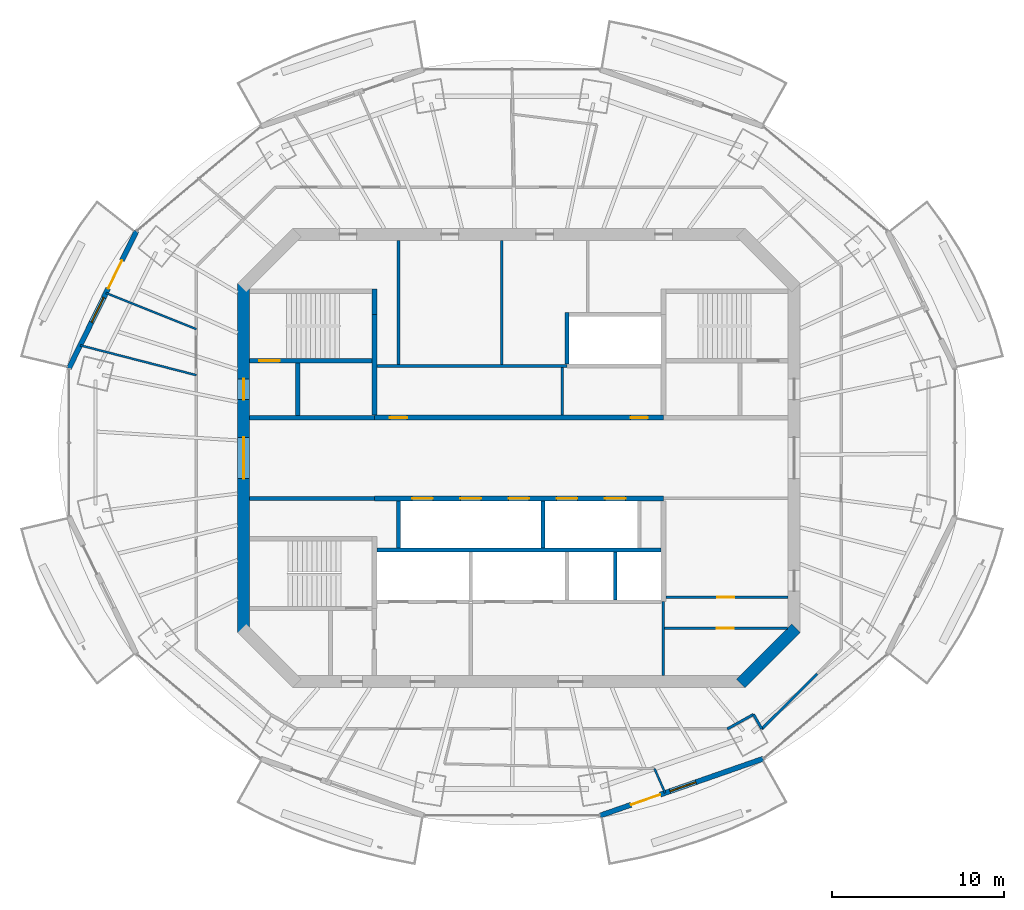
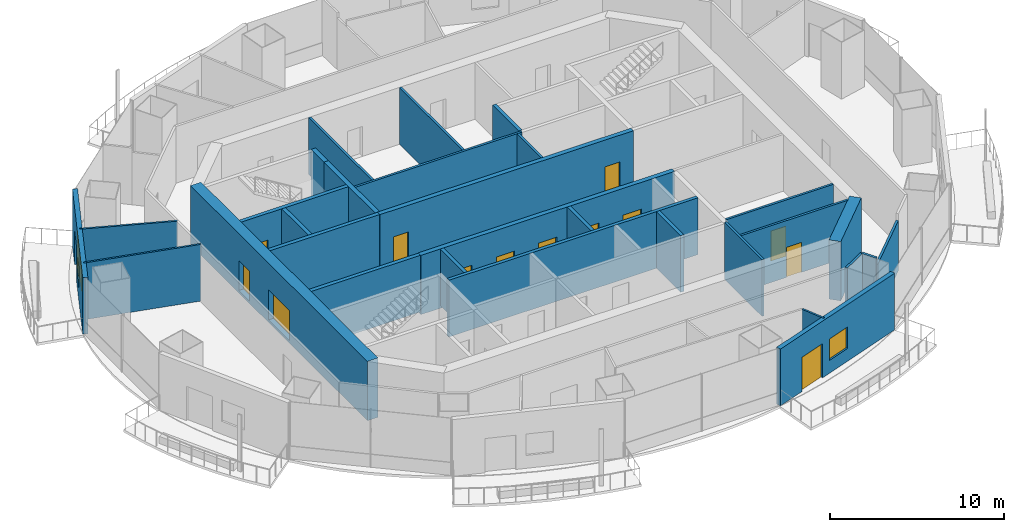
# One storey, part 9 of 16: 30 walls, 14 doors, 2 windows, 16 openings.
"""IFC4 building model written with IfcOpenShell, lengths in metres."""

from ifc_helpers import new_model, si_unit, direction, frame, frame_2d, origin, place, context, subcontext, project, spatial, rectangle, extrude, material, layer, layer_set, type_object, element, fill, save


model = new_model("IFC4")

# Units and contexts
model_context = context("Model", 3, precision=1e-05, world=origin(), true_north=direction((0.0, 1.0)))
body_context = subcontext(model_context, "Body", "Model", "MODEL_VIEW")
ifc_project = project(units=[si_unit("LENGTHUNIT", "METRE"), si_unit("AREAUNIT", "SQUARE_METRE"), si_unit("VOLUMEUNIT", "CUBIC_METRE"), si_unit("PLANEANGLEUNIT", "RADIAN"), si_unit("MASSUNIT", "GRAM", prefix="KILO")], contexts=[model_context])

# Site, building, storey
site_placement = place(None, origin())
site = spatial("IfcSite", under=ifc_project, at=site_placement, CompositionType="ELEMENT")
building_placement = place(site_placement, origin())
building = spatial("IfcBuilding", under=site, at=building_placement, Name="Marenthal Gate Tower", CompositionType="ELEMENT")
storey_placement = place(building_placement, frame((0.0, 0.0, 363.35009765625)))
storey = spatial("IfcBuildingStorey", under=building, at=storey_placement, Name="L82", CompositionType="ELEMENT", Elevation=363.35009765625)

# Wall
ifc_material_1 = material(Name="Concrete 60 MPa", Category="concrete")
ifc_layer_1 = layer(ifc_material_1, 0.699951171875)
ifc_layer_set_1 = layer_set([ifc_layer_1], Name="Core shear wall 700")
wall_type_1 = type_object("IfcWallType", Name="Core shear wall 700", PredefinedType="SHEAR", material=ifc_layer_set_1)
wall_1_placement = place(storey_placement, frame((12.8974609375, -13.1025390625, -0.18017578125), z_axis=(0.0, 0.0, 1.0), x_axis=(0.707106781187, 0.707106781187, 0.0)))
element("IfcWall", 1, at=wall_1_placement, inside=storey, type_object=wall_type_1, Name="Core wall 01", PredefinedType="SHEAR", context=body_context, shape_type="SweptSolid", body=[
    extrude(rectangle(XDim=4.53271484375, YDim=0.699951171875, at=frame_2d((2.266357421875, 0.0))), origin(), (0.0, 0.0, 1.0), 4.150146484375),
])

# Wall, openings, doors
wall_2_placement = place(storey_placement, frame((-16.0, 10.14501953125, -0.18017578125), z_axis=(0.0, 0.0, 1.0), x_axis=(0.0, -1.0, 0.0)))
wall_2 = element("IfcWall", 2, at=wall_2_placement, inside=storey, type_object=wall_type_1, Name="Core wall 06", PredefinedType="SHEAR", context=body_context, shape_type="SweptSolid", body=[
    extrude(rectangle(XDim=20.2900390625, YDim=0.699951171875, at=frame_2d((10.14501953125, 0.0))), origin(), (0.0, 0.0, 1.0), 4.150146484375),
])
opening_1_placement = place(wall_2_placement, frame((8.945068359375, 0.0, 0.179931640625)))
opening_1 = element("IfcOpeningElement", 3, at=opening_1_placement, cuts=wall_2, Name="Opening D003.01", PredefinedType="OPENING", context=body_context, shape_type="SweptSolid", body=[
    extrude(rectangle(XDim=2.39990234375, YDim=2.10009765625, at=frame_2d((1.199951171875, 1.050048828125))), frame((0.0, 0.35986328125, 0.0), z_axis=(0.0, -1.0, 0.0), x_axis=(1.0, 0.0, 0.0)), (0.0, 0.0, 1.0), 0.719970703125),
])
opening_2_placement = place(wall_2_placement, frame((5.544921875, 0.0, 0.179931640625)))
opening_2 = element("IfcOpeningElement", 4, at=opening_2_placement, cuts=wall_2, Name="Opening D001.04", PredefinedType="OPENING", context=body_context, shape_type="SweptSolid", body=[
    extrude(rectangle(XDim=1.199951171875, YDim=2.10009765625, at=frame_2d((0.60009765625, 1.050048828125))), frame((0.0, 0.35986328125, 0.0), z_axis=(0.0, -1.0, 0.0), x_axis=(1.0, 0.0, 0.0)), (0.0, 0.0, 1.0), 0.719970703125),
])
ifc_material_2 = material(Name="Steel fire door", Category="steel")
door_type_1 = type_object("IfcDoorType", Name="Double fire door FD 45 2400 x 2100", OperationType="DOUBLE_DOOR_SINGLE_SWING", PredefinedType="DOOR", material=ifc_material_2)
door_1_placement = place(opening_1_placement, origin())
door_1 = element("IfcDoor", 5, at=door_1_placement, inside=storey, type_object=door_type_1, Name="Door D003.01", OperationType="DOUBLE_DOOR_SINGLE_SWING", OverallHeight=2.10009765625, OverallWidth=2.39990234375, PredefinedType="DOOR", context=body_context, shape_type="SweptSolid", body=[
    extrude(rectangle(XDim=2.39990234375, YDim=2.10009765625, at=frame_2d((1.199951171875, 1.050048828125))), frame((0.0, 0.02490234375, 0.0), z_axis=(0.0, -1.0, 0.0), x_axis=(1.0, 0.0, 0.0)), (0.0, 0.0, 1.0), 0.050048828125),
])
fill(opening_1, door_1)
ifc_material_3 = material(Name="Steel fire door", Category="steel")
door_type_2 = type_object("IfcDoorType", Name="Fire door FD 90 1200 x 2100", OperationType="NOTDEFINED", PredefinedType="DOOR", material=ifc_material_3)
door_2_placement = place(opening_2_placement, origin())
door_2 = element("IfcDoor", 6, at=door_2_placement, inside=storey, type_object=door_type_2, Name="Door D001.04", OperationType="SINGLE_SWING_RIGHT", OverallHeight=2.10009765625, OverallWidth=1.199951171875, PredefinedType="DOOR", context=body_context, shape_type="SweptSolid", body=[
    extrude(rectangle(XDim=1.199951171875, YDim=2.10009765625, at=frame_2d((0.60009765625, 1.050048828125))), frame((0.0, 0.02490234375, 0.0), z_axis=(0.0, -1.0, 0.0), x_axis=(1.0, 0.0, 0.0)), (0.0, 0.0, 1.0), 0.050048828125),
])
fill(opening_2, door_2)

ifc_material_4 = material(Name="Concrete 50 MPa", Category="concrete")
ifc_layer_2 = layer(ifc_material_4, 0.300048828125)
ifc_layer_set_2 = layer_set([ifc_layer_2], Name="Hoistway shear wall 300")
wall_type_2 = type_object("IfcWallType", Name="Hoistway shear wall 300", PredefinedType="SHEAR", material=ifc_layer_set_2)
wall_3_placement = place(storey_placement, frame((-8.39990234375, -2.35009765625, -0.18017578125), z_axis=(0.0, 0.0, 1.0), x_axis=(1.0, 0.0, 0.0)))
wall_3 = element("IfcWall", 7, at=wall_3_placement, inside=storey, type_object=wall_type_2, Name="Hoistway wall 17", PredefinedType="SHEAR", context=body_context, shape_type="SweptSolid", body=[
    extrude(rectangle(XDim=16.7998046875, YDim=0.300048828125, at=frame_2d((8.39990234375, 0.0))), origin(), (0.0, 0.0, 1.0), 4.150146484375),
])
opening_3_placement = place(wall_3_placement, frame((2.199951171875, 0.0, 0.179931640625)))
opening_3 = element("IfcOpeningElement", 8, at=opening_3_placement, cuts=wall_3, Name="Opening LD-HP1", PredefinedType="OPENING", context=body_context, shape_type="SweptSolid", body=[
    extrude(rectangle(XDim=1.199951171875, YDim=2.10009765625, at=frame_2d((0.60009765625, 1.050048828125))), frame((0.0, 0.16015625, 0.0), z_axis=(0.0, -1.0, 0.0), x_axis=(1.0, 0.0, 0.0)), (0.0, 0.0, 1.0), 0.320068359375),
])
opening_4_placement = place(wall_3_placement, frame((5.0, 0.0, 0.179931640625)))
opening_4 = element("IfcOpeningElement", 9, at=opening_4_placement, cuts=wall_3, Name="Opening LD-HP2", PredefinedType="OPENING", context=body_context, shape_type="SweptSolid", body=[
    extrude(rectangle(XDim=1.199951171875, YDim=2.10009765625, at=frame_2d((0.60009765625, 1.050048828125))), frame((0.0, 0.16015625, 0.0), z_axis=(0.0, -1.0, 0.0), x_axis=(1.0, 0.0, 0.0)), (0.0, 0.0, 1.0), 0.320068359375),
])
opening_5_placement = place(wall_3_placement, frame((7.800048828125, 0.0, 0.179931640625)))
opening_5 = element("IfcOpeningElement", 10, at=opening_5_placement, cuts=wall_3, Name="Opening LD-HP3", PredefinedType="OPENING", context=body_context, shape_type="SweptSolid", body=[
    extrude(rectangle(XDim=1.199951171875, YDim=2.10009765625, at=frame_2d((0.60009765625, 1.050048828125))), frame((0.0, 0.16015625, 0.0), z_axis=(0.0, -1.0, 0.0), x_axis=(1.0, 0.0, 0.0)), (0.0, 0.0, 1.0), 0.320068359375),
])
opening_6_placement = place(wall_3_placement, frame((10.60009765625, 0.0, 0.179931640625)))
opening_6 = element("IfcOpeningElement", 11, at=opening_6_placement, cuts=wall_3, Name="Opening LD-HP4", PredefinedType="OPENING", context=body_context, shape_type="SweptSolid", body=[
    extrude(rectangle(XDim=1.199951171875, YDim=2.10009765625, at=frame_2d((0.60009765625, 1.050048828125))), frame((0.0, 0.16015625, 0.0), z_axis=(0.0, -1.0, 0.0), x_axis=(1.0, 0.0, 0.0)), (0.0, 0.0, 1.0), 0.320068359375),
])
opening_7_placement = place(wall_3_placement, frame((13.39990234375, 0.0, 0.179931640625)))
opening_7 = element("IfcOpeningElement", 12, at=opening_7_placement, cuts=wall_3, Name="Opening LD-HP5", PredefinedType="OPENING", context=body_context, shape_type="SweptSolid", body=[
    extrude(rectangle(XDim=1.199951171875, YDim=2.10009765625, at=frame_2d((0.60009765625, 1.050048828125))), frame((0.0, 0.16015625, 0.0), z_axis=(0.0, -1.0, 0.0), x_axis=(1.0, 0.0, 0.0)), (0.0, 0.0, 1.0), 0.320068359375),
])
ifc_material_5 = material(Name="Stainless steel sliding door", Category="steel")
door_type_3 = type_object("IfcDoorType", Name="Lift landing door FD 90 1200 x 2100", OperationType="DOUBLE_DOOR_SLIDING", PredefinedType="DOOR", material=ifc_material_5)
door_3_placement = place(opening_3_placement, origin())
door_3 = element("IfcDoor", 13, at=door_3_placement, inside=storey, type_object=door_type_3, Name="Lift landing door HP1", OperationType="DOUBLE_DOOR_SLIDING", OverallHeight=2.10009765625, OverallWidth=1.199951171875, PredefinedType="DOOR", context=body_context, shape_type="SweptSolid", body=[
    extrude(rectangle(XDim=1.199951171875, YDim=2.10009765625, at=frame_2d((0.60009765625, 1.050048828125))), frame((0.0, 0.02490234375, 0.0), z_axis=(0.0, -1.0, 0.0), x_axis=(1.0, 0.0, 0.0)), (0.0, 0.0, 1.0), 0.050048828125),
])
fill(opening_3, door_3)
door_4_placement = place(opening_4_placement, origin())
door_4 = element("IfcDoor", 14, at=door_4_placement, inside=storey, type_object=door_type_3, Name="Lift landing door HP2", OperationType="DOUBLE_DOOR_SLIDING", OverallHeight=2.10009765625, OverallWidth=1.199951171875, PredefinedType="DOOR", context=body_context, shape_type="SweptSolid", body=[
    extrude(rectangle(XDim=1.199951171875, YDim=2.10009765625, at=frame_2d((0.60009765625, 1.050048828125))), frame((0.0, 0.02490234375, 0.0), z_axis=(0.0, -1.0, 0.0), x_axis=(1.0, 0.0, 0.0)), (0.0, 0.0, 1.0), 0.050048828125),
])
fill(opening_4, door_4)
door_5_placement = place(opening_5_placement, origin())
door_5 = element("IfcDoor", 15, at=door_5_placement, inside=storey, type_object=door_type_3, Name="Lift landing door HP3", OperationType="DOUBLE_DOOR_SLIDING", OverallHeight=2.10009765625, OverallWidth=1.199951171875, PredefinedType="DOOR", context=body_context, shape_type="SweptSolid", body=[
    extrude(rectangle(XDim=1.199951171875, YDim=2.10009765625, at=frame_2d((0.60009765625, 1.050048828125))), frame((0.0, 0.02490234375, 0.0), z_axis=(0.0, -1.0, 0.0), x_axis=(1.0, 0.0, 0.0)), (0.0, 0.0, 1.0), 0.050048828125),
])
fill(opening_5, door_5)
door_6_placement = place(opening_6_placement, origin())
door_6 = element("IfcDoor", 16, at=door_6_placement, inside=storey, type_object=door_type_3, Name="Lift landing door HP4", OperationType="DOUBLE_DOOR_SLIDING", OverallHeight=2.10009765625, OverallWidth=1.199951171875, PredefinedType="DOOR", context=body_context, shape_type="SweptSolid", body=[
    extrude(rectangle(XDim=1.199951171875, YDim=2.10009765625, at=frame_2d((0.60009765625, 1.050048828125))), frame((0.0, 0.02490234375, 0.0), z_axis=(0.0, -1.0, 0.0), x_axis=(1.0, 0.0, 0.0)), (0.0, 0.0, 1.0), 0.050048828125),
])
fill(opening_6, door_6)
door_7_placement = place(opening_7_placement, origin())
door_7 = element("IfcDoor", 17, at=door_7_placement, inside=storey, type_object=door_type_3, Name="Lift landing door HP5", OperationType="DOUBLE_DOOR_SLIDING", OverallHeight=2.10009765625, OverallWidth=1.199951171875, PredefinedType="DOOR", context=body_context, shape_type="SweptSolid", body=[
    extrude(rectangle(XDim=1.199951171875, YDim=2.10009765625, at=frame_2d((0.60009765625, 1.050048828125))), frame((0.0, 0.02490234375, 0.0), z_axis=(0.0, -1.0, 0.0), x_axis=(1.0, 0.0, 0.0)), (0.0, 0.0, 1.0), 0.050048828125),
])
fill(opening_7, door_7)

wall_4_placement = place(storey_placement, frame((-8.39990234375, 2.35009765625, -0.18017578125), z_axis=(0.0, 0.0, 1.0), x_axis=(1.0, 0.0, 0.0)))
wall_4 = element("IfcWall", 18, at=wall_4_placement, inside=storey, type_object=wall_type_2, Name="Hoistway wall 20", PredefinedType="SHEAR", context=body_context, shape_type="SweptSolid", body=[
    extrude(rectangle(XDim=16.7998046875, YDim=0.300048828125, at=frame_2d((8.39990234375, 0.0))), origin(), (0.0, 0.0, 1.0), 4.150146484375),
])
opening_8_placement = place(wall_4_placement, frame((0.89990234375, 0.0, 0.179931640625)))
opening_8 = element("IfcOpeningElement", 19, at=opening_8_placement, cuts=wall_4, Name="Opening D005.01", PredefinedType="OPENING", context=body_context, shape_type="SweptSolid", body=[
    extrude(rectangle(XDim=1.0, YDim=2.10009765625, at=frame_2d((0.5, 1.050048828125))), frame((0.0, 0.16015625, 0.0), z_axis=(0.0, -1.0, 0.0), x_axis=(1.0, 0.0, 0.0)), (0.0, 0.0, 1.0), 0.320068359375),
])
opening_9_placement = place(wall_4_placement, frame((14.89990234375, 0.0, 0.179931640625)))
opening_9 = element("IfcOpeningElement", 20, at=opening_9_placement, cuts=wall_4, Name="Opening D005.02", PredefinedType="OPENING", context=body_context, shape_type="SweptSolid", body=[
    extrude(rectangle(XDim=1.0, YDim=2.10009765625, at=frame_2d((0.5, 1.050048828125))), frame((0.0, 0.16015625, 0.0), z_axis=(0.0, -1.0, 0.0), x_axis=(1.0, 0.0, 0.0)), (0.0, 0.0, 1.0), 0.320068359375),
])
ifc_material_6 = material(Name="Steel fire door", Category="steel")
door_type_4 = type_object("IfcDoorType", Name="Fire door FD 45 1000 x 2100", OperationType="NOTDEFINED", PredefinedType="DOOR", material=ifc_material_6)
door_8_placement = place(opening_8_placement, origin())
door_8 = element("IfcDoor", 21, at=door_8_placement, inside=storey, type_object=door_type_4, Name="Door D005.01", OperationType="SINGLE_SWING_RIGHT", OverallHeight=2.10009765625, OverallWidth=1.0, PredefinedType="DOOR", context=body_context, shape_type="SweptSolid", body=[
    extrude(rectangle(XDim=1.0, YDim=2.10009765625, at=frame_2d((0.5, 1.050048828125))), frame((0.0, 0.02490234375, 0.0), z_axis=(0.0, -1.0, 0.0), x_axis=(1.0, 0.0, 0.0)), (0.0, 0.0, 1.0), 0.050048828125),
])
fill(opening_8, door_8)
door_9_placement = place(opening_9_placement, origin())
door_9 = element("IfcDoor", 22, at=door_9_placement, inside=storey, type_object=door_type_4, Name="Door D005.02", OperationType="SINGLE_SWING_RIGHT", OverallHeight=2.10009765625, OverallWidth=1.0, PredefinedType="DOOR", context=body_context, shape_type="SweptSolid", body=[
    extrude(rectangle(XDim=1.0, YDim=2.10009765625, at=frame_2d((0.5, 1.050048828125))), frame((0.0, 0.02490234375, 0.0), z_axis=(0.0, -1.0, 0.0), x_axis=(1.0, 0.0, 0.0)), (0.0, 0.0, 1.0), 0.050048828125),
])
fill(opening_9, door_9)

# Walls
wall_5_placement = place(storey_placement, frame((-8.39990234375, 2.5, -0.18017578125), z_axis=(0.0, 0.0, 1.0), x_axis=(0.0, 1.0, 0.0)))
element("IfcWall", 23, at=wall_5_placement, inside=storey, type_object=wall_type_2, Name="Hoistway wall 33", PredefinedType="SHEAR", context=body_context, shape_type="SweptSolid", body=[
    extrude(rectangle(XDim=5.85009765625, YDim=0.300048828125, at=frame_2d((2.925048828125, 0.0))), origin(), (0.0, 0.0, 1.0), 4.150146484375),
])
ifc_material_7 = material(Name="Concrete 40 MPa", Category="concrete")
ifc_layer_3 = layer(ifc_material_7, 0.219970703125)
ifc_layer_set_3 = layer_set([ifc_layer_3], Name="Hoistway wall 220")
wall_type_3 = type_object("IfcWallType", Name="Hoistway wall 220", PredefinedType="STANDARD", material=ifc_layer_set_3)
wall_6_placement = place(storey_placement, frame((-8.25, -5.35009765625, 0.0), z_axis=(0.0, 0.0, 1.0), x_axis=(1.0, 0.0, 0.0)))
element("IfcWall", 24, at=wall_6_placement, inside=storey, type_object=wall_type_3, Name="Hoistway wall 14", PredefinedType="STANDARD", context=body_context, shape_type="SweptSolid", body=[
    extrude(rectangle(XDim=16.5, YDim=0.219970703125, at=frame_2d((8.25, 0.0))), origin(), (0.0, 0.0, 1.0), 3.969970703125),
])
for number, where, z_axis, x_axis, name in (
    (25, (-7.0, -5.239990234375, 0.0), (0.0, 0.0, 1.0), (0.0, 1.0, 0.0), "Hoistway wall 35"),
    (26, (1.39990234375, -5.239990234375, 0.0), (0.0, 0.0, 1.0), (0.0, 1.0, 0.0), "Hoistway wall 40"),
):
    element("IfcWall", number, at=place(storey_placement, frame(where, z_axis=z_axis, x_axis=x_axis)), inside=storey, type_object=wall_type_3, Name=name, PredefinedType="STANDARD", context=body_context, shape_type="SweptSolid", body=[
        extrude(rectangle(XDim=2.739990234375, YDim=0.219970703125, at=frame_2d((1.3701171875, 0.0))), origin(), (0.0, 0.0, 1.0), 3.969970703125),
    ])
wall_7_placement = place(storey_placement, frame((2.800048828125, 5.4599609375, 0.0), z_axis=(0.0, 0.0, 1.0), x_axis=(0.0, 1.0, 0.0)))
element("IfcWall", 27, at=wall_7_placement, inside=storey, type_object=wall_type_3, Name="Hoistway wall 43", PredefinedType="STANDARD", context=body_context, shape_type="SweptSolid", body=[
    extrude(rectangle(XDim=3.0, YDim=0.219970703125, at=frame_2d((1.5, 0.0))), origin(), (0.0, 0.0, 1.0), 3.969970703125),
])
wall_8_placement = place(storey_placement, frame((5.60009765625, -8.239990234375, 0.0), z_axis=(0.0, 0.0, 1.0), x_axis=(0.0, 1.0, 0.0)))
element("IfcWall", 28, at=wall_8_placement, inside=storey, type_object=wall_type_3, Name="Hoistway wall 45", PredefinedType="STANDARD", context=body_context, shape_type="SweptSolid", body=[
    extrude(rectangle(XDim=2.780029296875, YDim=0.219970703125, at=frame_2d((1.39013671875, 0.0))), origin(), (0.0, 0.0, 1.0), 3.969970703125),
])
ifc_material_8 = material(Name="Gypsum board on steel studs", Category="steel")
ifc_layer_4 = layer(ifc_material_8, 0.1201171875)
ifc_layer_set_4 = layer_set([ifc_layer_4], Name="Partition 120")
wall_type_4 = type_object("IfcWallType", Name="Partition 120", PredefinedType="PARTITIONING", material=ifc_layer_set_4)
wall_9_placement = place(storey_placement, frame((-18.75, 4.8173828125, 0.0), z_axis=(0.0, 0.0, 1.0), x_axis=(-0.968546007416, 0.248834546472, 0.0)))
element("IfcWall", 29, at=wall_9_placement, inside=storey, type_object=wall_type_4, Name="Partition wall 53", PredefinedType="PARTITIONING", context=body_context, shape_type="SweptSolid", body=[
    extrude(rectangle(XDim=6.970947265625, YDim=0.1201171875, at=frame_2d((3.4853515625, 0.0))), origin(), (0.0, 0.0, 1.0), 3.969970703125),
])
wall_10_placement = place(storey_placement, frame((-18.75, 7.494873046875, 0.0), z_axis=(0.0, 0.0, 1.0), x_axis=(-0.928562955477, 0.371174942197, 0.0)))
element("IfcWall", 30, at=wall_10_placement, inside=storey, type_object=wall_type_4, Name="Partition wall 54", PredefinedType="PARTITIONING", context=body_context, shape_type="SweptSolid", body=[
    extrude(rectangle(XDim=5.65869140625, YDim=0.1201171875, at=frame_2d((2.829345703125, 0.0))), origin(), (0.0, 0.0, 1.0), 3.969970703125),
])
wall_11_placement = place(storey_placement, frame((7.8837890625, -18.055908203125, 0.0), z_axis=(0.0, 0.0, 1.0), x_axis=(0.400253967032, -0.916404256797, 0.0)))
element("IfcWall", 31, at=wall_11_placement, inside=storey, type_object=wall_type_4, Name="Partition wall 69", PredefinedType="PARTITIONING", context=body_context, shape_type="SweptSolid", body=[
    extrude(rectangle(XDim=1.5419921875, YDim=0.1201171875, at=frame_2d((0.77099609375, 0.0))), origin(), (0.0, 0.0, 1.0), 3.969970703125),
])

# Wall, opening, door
ifc_material_9 = material(Name="Gypsum board on steel studs", Category="steel")
ifc_layer_5 = layer(ifc_material_9, 0.14990234375)
ifc_layer_set_5 = layer_set([ifc_layer_5], Name="Partition 150")
wall_type_5 = type_object("IfcWallType", Name="Partition 150", PredefinedType="PARTITIONING", material=ifc_layer_set_5)
wall_12_placement = place(storey_placement, frame((8.47509765625, -9.89990234375, 0.0), z_axis=(0.0, 0.0, 1.0), x_axis=(1.0, 0.0, 0.0)))
wall_12 = element("IfcWall", 32, at=wall_12_placement, inside=storey, type_object=wall_type_5, Name="Partition wall 09", PredefinedType="PARTITIONING", context=body_context, shape_type="SweptSolid", body=[
    extrude(rectangle(XDim=7.1298828125, YDim=0.14990234375, at=frame_2d((3.56494140625, 0.0))), origin(), (0.0, 0.0, 1.0), 3.969970703125),
])
opening_10_placement = place(wall_12_placement, frame((3.027587890625, 0.0, 0.0)))
opening_10 = element("IfcOpeningElement", 33, at=opening_10_placement, cuts=wall_12, Name="Opening D005.08", PredefinedType="OPENING", context=body_context, shape_type="SweptSolid", body=[
    extrude(rectangle(XDim=1.0, YDim=2.10009765625, at=frame_2d((0.5, 1.050048828125))), frame((0.0, 0.0849609375, 0.0), z_axis=(0.0, -1.0, 0.0), x_axis=(1.0, 0.0, 0.0)), (0.0, 0.0, 1.0), 0.169921875),
])
door_10_placement = place(opening_10_placement, frame((1.0, 0.0, 0.0), z_axis=(0.0, 0.0, 1.0), x_axis=(-1.0, 0.0, 0.0)))
door_10 = element("IfcDoor", 34, at=door_10_placement, inside=storey, type_object=door_type_4, Name="Door D005.08", OperationType="SINGLE_SWING_LEFT", OverallHeight=2.10009765625, OverallWidth=1.0, PredefinedType="DOOR", context=body_context, shape_type="SweptSolid", body=[
    extrude(rectangle(XDim=1.0, YDim=2.10009765625, at=frame_2d((0.5, 1.050048828125))), frame((0.0, 0.02490234375, 0.0), z_axis=(0.0, -1.0, 0.0), x_axis=(1.0, 0.0, 0.0)), (0.0, 0.0, 1.0), 0.050048828125),
])
fill(opening_10, door_10)

wall_13_placement = place(storey_placement, frame((8.550048828125, -8.10009765625, 0.0), z_axis=(0.0, 0.0, 1.0), x_axis=(1.0, 0.0, 0.0)))
wall_13 = element("IfcWall", 35, at=wall_13_placement, inside=storey, type_object=wall_type_5, Name="Partition wall 13", PredefinedType="PARTITIONING", context=body_context, shape_type="SweptSolid", body=[
    extrude(rectangle(XDim=7.099853515625, YDim=0.14990234375, at=frame_2d((3.5498046875, 0.0))), origin(), (0.0, 0.0, 1.0), 3.969970703125),
])
opening_11_placement = place(wall_13_placement, frame((2.97509765625, 0.0, 0.0)))
opening_11 = element("IfcOpeningElement", 36, at=opening_11_placement, cuts=wall_13, Name="Opening D005.07", PredefinedType="OPENING", context=body_context, shape_type="SweptSolid", body=[
    extrude(rectangle(XDim=1.0, YDim=2.10009765625, at=frame_2d((0.5, 1.050048828125))), frame((0.0, 0.0849609375, 0.0), z_axis=(0.0, -1.0, 0.0), x_axis=(1.0, 0.0, 0.0)), (0.0, 0.0, 1.0), 0.169921875),
])
door_11_placement = place(opening_11_placement, origin())
door_11 = element("IfcDoor", 37, at=door_11_placement, inside=storey, type_object=door_type_4, Name="Door D005.07", OperationType="SINGLE_SWING_RIGHT", OverallHeight=2.10009765625, OverallWidth=1.0, PredefinedType="DOOR", context=body_context, shape_type="SweptSolid", body=[
    extrude(rectangle(XDim=1.0, YDim=2.10009765625, at=frame_2d((0.5, 1.050048828125))), frame((0.0, 0.02490234375, 0.0), z_axis=(0.0, -1.0, 0.0), x_axis=(1.0, 0.0, 0.0)), (0.0, 0.0, 1.0), 0.050048828125),
])
fill(opening_11, door_11)

# Walls
wall_14_placement = place(storey_placement, frame((-8.25, 5.35009765625, 0.0), z_axis=(0.0, 0.0, 1.0), x_axis=(1.0, 0.0, 0.0)))
element("IfcWall", 38, at=wall_14_placement, inside=storey, type_object=wall_type_5, Name="Partition wall 22", PredefinedType="PARTITIONING", context=body_context, shape_type="SweptSolid", body=[
    extrude(rectangle(XDim=11.050048828125, YDim=0.14990234375, at=frame_2d((5.52490234375, 0.0))), origin(), (0.0, 0.0, 1.0), 3.969970703125),
])
for number, where, z_axis, x_axis, name in (
    (39, (-7.0, 5.425048828125, 0.0), (0.0, 0.0, 1.0), (0.0, 1.0, 0.0), "Partition wall 36"),
    (40, (-1.0, 5.425048828125, 0.0), (0.0, 0.0, 1.0), (0.0, 1.0, 0.0), "Partition wall 39"),
):
    element("IfcWall", number, at=place(storey_placement, frame(where, z_axis=z_axis, x_axis=x_axis)), inside=storey, type_object=wall_type_5, Name=name, PredefinedType="PARTITIONING", context=body_context, shape_type="SweptSolid", body=[
        extrude(rectangle(XDim=7.224853515625, YDim=0.14990234375, at=frame_2d((3.6123046875, 0.0))), origin(), (0.0, 0.0, 1.0), 3.969970703125),
    ])
wall_15_placement = place(storey_placement, frame((2.52001953125, 2.5, 0.0), z_axis=(0.0, 0.0, 1.0), x_axis=(0.0, 1.0, 0.0)))
element("IfcWall", 41, at=wall_15_placement, inside=storey, type_object=wall_type_5, Name="Partition wall 41", PredefinedType="PARTITIONING", context=body_context, shape_type="SweptSolid", body=[
    extrude(rectangle(XDim=2.77490234375, YDim=0.14990234375, at=frame_2d((1.387451171875, 0.0))), origin(), (0.0, 0.0, 1.0), 3.969970703125),
])
wall_16_placement = place(storey_placement, frame((8.39990234375, -12.64990234375, 0.0), z_axis=(0.0, 0.0, 1.0), x_axis=(0.0, 1.0, 0.0)))
element("IfcWall", 42, at=wall_16_placement, inside=storey, type_object=wall_type_5, Name="Partition wall 47", PredefinedType="PARTITIONING", context=body_context, shape_type="SweptSolid", body=[
    extrude(rectangle(XDim=4.2998046875, YDim=0.14990234375, at=frame_2d((2.14990234375, 0.0))), origin(), (0.0, 0.0, 1.0), 3.969970703125),
])
wall_17_placement = place(storey_placement, frame((13.639404296875, -14.9033203125, 0.0), z_axis=(0.0, 0.0, 1.0), x_axis=(-0.87407797583, -0.485785644259, 0.0)))
element("IfcWall", 43, at=wall_17_placement, inside=storey, type_object=wall_type_5, Name="Partition wall 71", PredefinedType="PARTITIONING", context=body_context, shape_type="SweptSolid", body=[
    extrude(rectangle(XDim=1.742919921875, YDim=0.14990234375, at=frame_2d((0.87158203125, 0.0))), origin(), (0.0, 0.0, 1.0), 3.969970703125),
])
wall_18_placement = place(storey_placement, frame((14.12451171875, -15.75, 0.0), z_axis=(0.0, 0.0, 1.0), x_axis=(-0.497135538287, 0.867672897221, 0.0)))
element("IfcWall", 44, at=wall_18_placement, inside=storey, type_object=wall_type_5, Name="Partition wall 72", PredefinedType="PARTITIONING", context=body_context, shape_type="SweptSolid", body=[
    extrude(rectangle(XDim=0.975830078125, YDim=0.14990234375, at=frame_2d((0.48779296875, 0.0))), origin(), (0.0, 0.0, 1.0), 3.969970703125),
])
wall_19_placement = place(storey_placement, frame((17.343994140625, -12.540771484375, 0.0), z_axis=(0.0, 0.0, 1.0), x_axis=(-0.708233727954, -0.705978035486, 0.0)))
element("IfcWall", 45, at=wall_19_placement, inside=storey, type_object=wall_type_5, Name="Partition wall 79", PredefinedType="PARTITIONING", context=body_context, shape_type="SweptSolid", body=[
    extrude(rectangle(XDim=4.5458984375, YDim=0.14990234375, at=frame_2d((2.27294921875, 0.0))), origin(), (0.0, 0.0, 1.0), 3.5078125),
])
ifc_material_10 = material(Name="Concrete 40 MPa", Category="concrete")
ifc_layer_6 = layer(ifc_material_10, 0.25)
ifc_layer_set_6 = layer_set([ifc_layer_6], Name="Stair enclosure wall 250")
wall_type_6 = type_object("IfcWallType", Name="Stair enclosure wall 250", PredefinedType="STANDARD", material=ifc_layer_set_6)
for number, where, z_axis, x_axis, name in (
    (46, (-15.64990234375, -2.35009765625, 0.0), (0.0, 0.0, 1.0), (1.0, 0.0, 0.0), "Stair wall 16"),
    (47, (-15.64990234375, 2.35009765625, 0.0), (0.0, 0.0, 1.0), (1.0, 0.0, 0.0), "Stair wall 19"),
):
    element("IfcWall", number, at=place(storey_placement, frame(where, z_axis=z_axis, x_axis=x_axis)), inside=storey, type_object=wall_type_6, Name=name, PredefinedType="STANDARD", context=body_context, shape_type="SweptSolid", body=[
        extrude(rectangle(XDim=7.25, YDim=0.25, at=frame_2d((3.625, 0.0))), origin(), (0.0, 0.0, 1.0), 3.969970703125),
    ])
wall_20_placement = place(storey_placement, frame((-12.85009765625, 2.47509765625, 0.0), z_axis=(0.0, 0.0, 1.0), x_axis=(0.0, 1.0, 0.0)))
element("IfcWall", 48, at=wall_20_placement, inside=storey, type_object=wall_type_6, Name="Stair wall 29", PredefinedType="STANDARD", context=body_context, shape_type="SweptSolid", body=[
    extrude(rectangle(XDim=3.0498046875, YDim=0.25, at=frame_2d((1.52490234375, 0.0))), origin(), (0.0, 0.0, 1.0), 3.969970703125),
])

# Wall, opening, door
ifc_material_11 = material(Name="Concrete 50 MPa", Category="concrete")
ifc_layer_7 = layer(ifc_material_11, 0.25)
ifc_layer_set_7 = layer_set([ifc_layer_7], Name="Stair shear wall 250")
wall_type_7 = type_object("IfcWallType", Name="Stair shear wall 250", PredefinedType="SHEAR", material=ifc_layer_set_7)
wall_21_placement = place(storey_placement, frame((-15.64990234375, 5.64990234375, -0.18017578125), z_axis=(0.0, 0.0, 1.0), x_axis=(1.0, 0.0, 0.0)))
wall_21 = element("IfcWall", 49, at=wall_21_placement, inside=storey, type_object=wall_type_7, Name="Stair wall 24", PredefinedType="SHEAR", context=body_context, shape_type="SweptSolid", body=[
    extrude(rectangle(XDim=7.099853515625, YDim=0.25, at=frame_2d((3.5498046875, 0.0))), origin(), (0.0, 0.0, 1.0), 4.150146484375),
])
opening_12_placement = place(wall_21_placement, frame((0.550048828125, 0.0, 0.179931640625)))
opening_12 = element("IfcOpeningElement", 50, at=opening_12_placement, cuts=wall_21, Name="Opening D001.01", PredefinedType="OPENING", context=body_context, shape_type="SweptSolid", body=[
    extrude(rectangle(XDim=1.199951171875, YDim=2.10009765625, at=frame_2d((0.60009765625, 1.050048828125))), frame((0.0, 0.135009765625, 0.0), z_axis=(0.0, -1.0, 0.0), x_axis=(1.0, 0.0, 0.0)), (0.0, 0.0, 1.0), 0.27001953125),
])
door_12_placement = place(opening_12_placement, origin())
door_12 = element("IfcDoor", 51, at=door_12_placement, inside=storey, type_object=door_type_2, Name="Door D001.01", OperationType="SINGLE_SWING_RIGHT", OverallHeight=2.10009765625, OverallWidth=1.199951171875, PredefinedType="DOOR", context=body_context, shape_type="SweptSolid", body=[
    extrude(rectangle(XDim=1.199951171875, YDim=2.10009765625, at=frame_2d((0.60009765625, 1.050048828125))), frame((0.0, 0.02490234375, 0.0), z_axis=(0.0, -1.0, 0.0), x_axis=(1.0, 0.0, 0.0)), (0.0, 0.0, 1.0), 0.050048828125),
])
fill(opening_12, door_12)

# Wall
ifc_material_12 = material(Name="Concrete 50 MPa", Category="concrete")
ifc_layer_8 = layer(ifc_material_12, 0.300048828125)
ifc_layer_set_8 = layer_set([ifc_layer_8], Name="Stair shear wall 300")
wall_type_8 = type_object("IfcWallType", Name="Stair shear wall 300", PredefinedType="SHEAR", material=ifc_layer_set_8)
wall_22_placement = place(storey_placement, frame((-8.39990234375, 8.35009765625, -0.18017578125), z_axis=(0.0, 0.0, 1.0), x_axis=(0.0, 1.0, 0.0)))
element("IfcWall", 52, at=wall_22_placement, inside=storey, type_object=wall_type_8, Name="Stair wall 34", PredefinedType="SHEAR", context=body_context, shape_type="SweptSolid", body=[
    extrude(rectangle(XDim=1.474853515625, YDim=0.300048828125, at=frame_2d((0.7373046875, 0.0))), origin(), (0.0, 0.0, 1.0), 4.150146484375),
])

# Wall, openings, door, window
ifc_material_13 = material(Name="Terracotta cladding on insulated concrete-block backing", Category="masonry")
ifc_layer_9 = layer(ifc_material_13, 0.300048828125)
ifc_layer_set_9 = layer_set([ifc_layer_9], Name="Terracotta facade wall 300")
wall_type_9 = type_object("IfcWallType", Name="Terracotta facade wall 300", PredefinedType="SOLIDWALL", material=ifc_layer_set_9)
wall_23_placement = place(storey_placement, frame((-22.238525390625, 13.18408203125, 0.0), z_axis=(0.0, 0.0, 1.0), x_axis=(-0.441498870894, -0.89726180516, 0.0)))
wall_23 = element("IfcWall", 53, at=wall_23_placement, inside=storey, type_object=wall_type_9, Name="Terracotta facade wall L82 bay 7", PredefinedType="SOLIDWALL", context=body_context, shape_type="SweptSolid", body=[
    extrude(rectangle(XDim=8.883056640625, YDim=0.300048828125, at=frame_2d((4.44140625, 0.0))), origin(), (0.0, 0.0, 1.0), 3.969970703125),
])
opening_13_placement = place(wall_23_placement, frame((1.89990234375, 0.0, 0.0)))
opening_13 = element("IfcOpeningElement", 54, at=opening_13_placement, cuts=wall_23, Name="Opening BD-L82-07", PredefinedType="OPENING", context=body_context, shape_type="SweptSolid", body=[
    extrude(rectangle(XDim=1.800048828125, YDim=2.39990234375, at=frame_2d((0.89990234375, 1.199951171875))), frame((0.0, 0.16015625, 0.0), z_axis=(0.0, -1.0, 0.0), x_axis=(1.0, 0.0, 0.0)), (0.0, 0.0, 1.0), 0.320068359375),
])
opening_14_placement = place(wall_23_placement, frame((4.300048828125, 0.0, 0.89990234375)))
opening_14 = element("IfcOpeningElement", 55, at=opening_14_placement, cuts=wall_23, Name="Opening WN3-L82-07", PredefinedType="OPENING", context=body_context, shape_type="SweptSolid", body=[
    extrude(rectangle(XDim=1.60009765625, YDim=1.5, at=frame_2d((0.800048828125, 0.75))), frame((0.0, 0.16015625, 0.0), z_axis=(0.0, -1.0, 0.0), x_axis=(1.0, 0.0, 0.0)), (0.0, 0.0, 1.0), 0.320068359375),
])
ifc_material_14 = material(Name="Aluminium and glass", Category="aluminium")
door_type_5 = type_object("IfcDoorType", Name="Balcony door 1800x2400", OperationType="DOUBLE_DOOR_SINGLE_SWING", PredefinedType="DOOR", material=ifc_material_14)
door_13_placement = place(opening_13_placement, origin())
door_13 = element("IfcDoor", 56, at=door_13_placement, inside=storey, type_object=door_type_5, Name="Balcony door L82 bay 7", OperationType="SINGLE_SWING_LEFT", OverallHeight=2.39990234375, OverallWidth=1.800048828125, PredefinedType="DOOR", context=body_context, shape_type="SweptSolid", body=[
    extrude(rectangle(XDim=1.800048828125, YDim=2.39990234375, at=frame_2d((0.89990234375, 1.199951171875))), frame((0.0, 0.02490234375, 0.0), z_axis=(0.0, -1.0, 0.0), x_axis=(1.0, 0.0, 0.0)), (0.0, 0.0, 1.0), 0.050048828125),
])
fill(opening_13, door_13)
ifc_material_15 = material(Name="Aluminium and glass", Category="aluminium")
window_type = type_object("IfcWindowType", Name="Window 1600x1500", PartitioningType="DOUBLE_PANEL_VERTICAL", PredefinedType="WINDOW", material=ifc_material_15)
window_1_placement = place(opening_14_placement, origin())
window_1 = element("IfcWindow", 57, at=window_1_placement, inside=storey, type_object=window_type, Name="Window L82 bay 7", OverallHeight=1.5, OverallWidth=1.60009765625, PartitioningType="SINGLE_PANEL", PredefinedType="WINDOW", context=body_context, shape_type="SweptSolid", body=[
    extrude(rectangle(XDim=1.60009765625, YDim=1.5, at=frame_2d((0.800048828125, 0.75))), frame((0.0, 0.030029296875, 0.0), z_axis=(0.0, -1.0, 0.0), x_axis=(1.0, 0.0, 0.0)), (0.0, 0.0, 1.0), 0.06005859375),
])
fill(opening_14, window_1)

wall_24_placement = place(storey_placement, frame((4.72412109375, -20.7861328125, 0.0), z_axis=(0.0, 0.0, 1.0), x_axis=(0.944239971919, 0.329258068133, 0.0)))
wall_24 = element("IfcWall", 58, at=wall_24_placement, inside=storey, type_object=wall_type_9, Name="Terracotta facade wall L82 bay 13", PredefinedType="SOLIDWALL", context=body_context, shape_type="SweptSolid", body=[
    extrude(rectangle(XDim=10.027099609375, YDim=0.300048828125, at=frame_2d((5.013671875, 0.0))), origin(), (0.0, 0.0, 1.0), 3.969970703125),
])
opening_15_placement = place(wall_24_placement, frame((1.89990234375, 0.0, 0.0)))
opening_15 = element("IfcOpeningElement", 59, at=opening_15_placement, cuts=wall_24, Name="Opening BD-L82-13", PredefinedType="OPENING", context=body_context, shape_type="SweptSolid", body=[
    extrude(rectangle(XDim=1.800048828125, YDim=2.39990234375, at=frame_2d((0.89990234375, 1.199951171875))), frame((0.0, 0.16015625, 0.0), z_axis=(0.0, -1.0, 0.0), x_axis=(1.0, 0.0, 0.0)), (0.0, 0.0, 1.0), 0.320068359375),
])
opening_16_placement = place(wall_24_placement, frame((4.300048828125, 0.0, 0.89990234375)))
opening_16 = element("IfcOpeningElement", 60, at=opening_16_placement, cuts=wall_24, Name="Opening WN3-L82-13", PredefinedType="OPENING", context=body_context, shape_type="SweptSolid", body=[
    extrude(rectangle(XDim=1.60009765625, YDim=1.5, at=frame_2d((0.800048828125, 0.75))), frame((0.0, 0.16015625, 0.0), z_axis=(0.0, -1.0, 0.0), x_axis=(1.0, 0.0, 0.0)), (0.0, 0.0, 1.0), 0.320068359375),
])
door_14_placement = place(opening_15_placement, origin())
door_14 = element("IfcDoor", 61, at=door_14_placement, inside=storey, type_object=door_type_5, Name="Balcony door L82 bay 13", OperationType="SINGLE_SWING_LEFT", OverallHeight=2.39990234375, OverallWidth=1.800048828125, PredefinedType="DOOR", context=body_context, shape_type="SweptSolid", body=[
    extrude(rectangle(XDim=1.800048828125, YDim=2.39990234375, at=frame_2d((0.89990234375, 1.199951171875))), frame((0.0, 0.02490234375, 0.0), z_axis=(0.0, -1.0, 0.0), x_axis=(1.0, 0.0, 0.0)), (0.0, 0.0, 1.0), 0.050048828125),
])
fill(opening_15, door_14)
window_2_placement = place(opening_16_placement, origin())
window_2 = element("IfcWindow", 62, at=window_2_placement, inside=storey, type_object=window_type, Name="Window L82 bay 13", OverallHeight=1.5, OverallWidth=1.60009765625, PartitioningType="SINGLE_PANEL", PredefinedType="WINDOW", context=body_context, shape_type="SweptSolid", body=[
    extrude(rectangle(XDim=1.60009765625, YDim=1.5, at=frame_2d((0.800048828125, 0.75))), frame((0.0, 0.030029296875, 0.0), z_axis=(0.0, -1.0, 0.0), x_axis=(1.0, 0.0, 0.0)), (0.0, 0.0, 1.0), 0.06005859375),
])
fill(opening_16, window_2)

save(model, "model.ifc")
